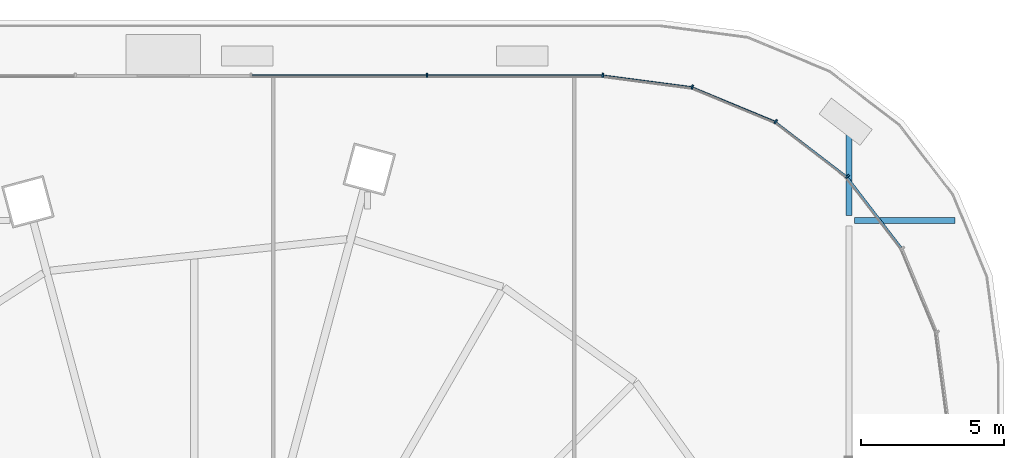
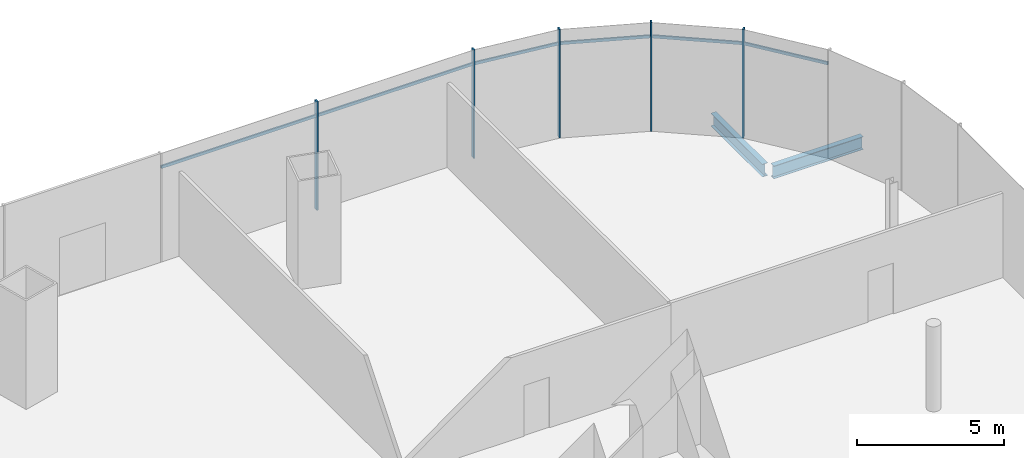
# One storey, part 28 of 49: 11 members, 2 beams, 1 element without a shape of its own.
"""IFC4 building model written with IfcOpenShell, lengths in metres."""

from ifc_helpers import new_model, si_unit, direction, frame, origin, origin_2d, place, context, subcontext, project, spatial, rectangle, i_section, extrude, material, material_profile, profile_set, type_object, element, aggregate, save


model = new_model("IFC4")

# Units and contexts
model_context = context("Model", 3, precision=1e-05, world=origin(), true_north=direction((0.0, 1.0)))
body_context = subcontext(model_context, "Body", "Model", "MODEL_VIEW")
ifc_project = project(units=[si_unit("LENGTHUNIT", "METRE"), si_unit("AREAUNIT", "SQUARE_METRE"), si_unit("VOLUMEUNIT", "CUBIC_METRE"), si_unit("PLANEANGLEUNIT", "RADIAN"), si_unit("MASSUNIT", "GRAM", prefix="KILO")], contexts=[model_context])

# Site, building, storey
site_placement = place(None, origin())
site = spatial("IfcSite", under=ifc_project, at=site_placement, CompositionType="ELEMENT")
building_placement = place(site_placement, origin())
building = spatial("IfcBuilding", under=site, at=building_placement, Name="Rimbun Link Towers", CompositionType="ELEMENT")
storey_placement = place(building_placement, frame((0.0, 0.0, 25.5)))
storey = spatial("IfcBuildingStorey", under=building, at=storey_placement, Name="L05", CompositionType="ELEMENT", Elevation=25.5)

# Curtain wall, members
ifc_material_1 = material(Name="Aluminium 6063-T6 and low-iron glass", Category="aluminium")
curtain_wall_type = type_object("IfcCurtainWallType", Name="CW3 podium shopfront", PredefinedType="NOTDEFINED", material=ifc_material_1)
curtain_wall_placement = place(storey_placement, origin())
curtain_wall = element("IfcCurtainWall", 1, at=curtain_wall_placement, inside=storey, type_object=curtain_wall_type, Name="CW3 L05 PD", PredefinedType="NOTDEFINED")
ifc_material_2 = material(Name="Aluminium 6063-T6", Category="aluminium")
ifc_material_profile_1 = material_profile(ifc_material_2, rectangle(XDim=0.14990234375, YDim=0.06005859375, at=origin_2d()), Name="MULLION 60X150")
ifc_profile_set_1 = profile_set([ifc_material_profile_1], Name="Aluminium 6063-T6")
member_type_1 = type_object("IfcMemberType", Name="CW3 mullion 60X150", PredefinedType="MULLION", material=ifc_profile_set_1)
member_1_placement = place(storey_placement, frame((54.538330078125, 22.538330078125, 0.0), z_axis=(0.0, 0.0, 1.0), x_axis=(0.707106781187, 0.707106781187, 0.0)))
member_1 = element("IfcMember", 2, at=member_1_placement, type_object=member_type_1, Name="CW3 mullion", PredefinedType="MULLION", context=body_context, shape_type="SweptSolid", body=[
    extrude(rectangle(XDim=0.14990234375, YDim=0.06005859375, at=origin_2d()), origin(), (0.0, 0.0, 1.0), 4.5),
])
member_2_placement = place(storey_placement, frame((52.03759765625, 24.457275390625, 0.0), z_axis=(0.0, 0.0, 1.0), x_axis=(0.499993701568, 0.866029040155, 0.0)))
member_2 = element("IfcMember", 3, at=member_2_placement, type_object=member_type_1, Name="CW3 mullion", PredefinedType="MULLION", context=body_context, shape_type="SweptSolid", body=[
    extrude(rectangle(XDim=0.14990234375, YDim=0.06005859375, at=origin_2d()), origin(), (0.0, 0.0, 1.0), 4.5),
])
member_3_placement = place(storey_placement, frame((49.125244140625, 25.66357421875, 0.0), z_axis=(0.0, 0.0, 1.0), x_axis=(0.258818729038, 0.965925910978, 0.0)))
member_3 = element("IfcMember", 4, at=member_3_placement, type_object=member_type_1, Name="CW3 mullion", PredefinedType="MULLION", context=body_context, shape_type="SweptSolid", body=[
    extrude(rectangle(XDim=0.14990234375, YDim=0.06005859375, at=origin_2d()), origin(), (0.0, 0.0, 1.0), 4.5),
])
member_4_placement = place(storey_placement, frame((46.0048828125, 26.074951171875, 0.0), z_axis=(0.0, 0.0, 1.0), x_axis=(0.065405288299, 0.997858781723, 0.0)))
member_4 = element("IfcMember", 5, at=member_4_placement, type_object=member_type_1, Name="CW3 mullion", PredefinedType="MULLION", context=body_context, shape_type="SweptSolid", body=[
    extrude(rectangle(XDim=0.14990234375, YDim=0.06005859375, at=origin_2d()), origin(), (0.0, 0.0, 1.0), 4.5),
])
member_5_placement = place(storey_placement, frame((39.86669921875, 26.074951171875, 0.0), z_axis=(0.0, 0.0, 1.0), x_axis=(0.0, 1.0, 0.0)))
member_5 = element("IfcMember", 6, at=member_5_placement, type_object=member_type_1, Name="CW3 mullion", PredefinedType="MULLION", context=body_context, shape_type="SweptSolid", body=[
    extrude(rectangle(XDim=0.14990234375, YDim=0.06005859375, at=origin_2d()), origin(), (0.0, 0.0, 1.0), 4.5),
])
ifc_material_3 = material(Name="Aluminium 6063-T6", Category="aluminium")
ifc_material_profile_2 = material_profile(ifc_material_3, rectangle(XDim=0.06005859375, YDim=0.1201171875, at=origin_2d()), Name="TRANSOM 60X120")
ifc_profile_set_2 = profile_set([ifc_material_profile_2], Name="Aluminium 6063-T6")
member_type_2 = type_object("IfcMemberType", Name="CW3 transom 60X120", PredefinedType="USERDEFINED", material=ifc_profile_set_2)
member_6_placement = place(storey_placement, frame((54.54638671875, 22.494384765625, 3.89990234375), z_axis=(0.608773432314, -0.793344129687, 0.0), x_axis=(0.793344129687, 0.608773432314, 0.0)))
member_6 = element("IfcMember", 7, at=member_6_placement, type_object=member_type_2, Name="CW3 transom", ObjectType="TRANSOM", PredefinedType="USERDEFINED", context=body_context, shape_type="SweptSolid", body=[
    extrude(rectangle(XDim=0.06005859375, YDim=0.1201171875, at=origin_2d()), origin(), (0.0, 0.0, 1.0), 3.07275390625),
])
member_7_placement = place(storey_placement, frame((52.056640625, 24.4169921875, 3.89990234375), z_axis=(0.793344129687, -0.608773432314, 0.0), x_axis=(0.608773432314, 0.793344129687, 0.0)))
member_7 = element("IfcMember", 8, at=member_7_placement, type_object=member_type_2, Name="CW3 transom", ObjectType="TRANSOM", PredefinedType="USERDEFINED", context=body_context, shape_type="SweptSolid", body=[
    extrude(rectangle(XDim=0.06005859375, YDim=0.1201171875, at=origin_2d()), origin(), (0.0, 0.0, 1.0), 3.07275390625),
])
member_8_placement = place(storey_placement, frame((49.154296875, 25.62939453125, 3.89990234375), z_axis=(0.923881248716, -0.382679289053, 0.0), x_axis=(0.382679289053, 0.923881248716, 0.0)))
member_8 = element("IfcMember", 9, at=member_8_placement, type_object=member_type_2, Name="CW3 transom", ObjectType="TRANSOM", PredefinedType="USERDEFINED", context=body_context, shape_type="SweptSolid", body=[
    extrude(rectangle(XDim=0.06005859375, YDim=0.1201171875, at=origin_2d()), origin(), (0.0, 0.0, 1.0), 3.072509765625),
])
member_9_placement = place(storey_placement, frame((46.036865234375, 26.049560546875, 3.89990234375), z_axis=(0.991441037829, -0.130555231638, 0.0), x_axis=(0.130555231638, 0.991441037829, 0.0)))
member_9 = element("IfcMember", 10, at=member_9_placement, type_object=member_type_2, Name="CW3 transom", ObjectType="TRANSOM", PredefinedType="USERDEFINED", context=body_context, shape_type="SweptSolid", body=[
    extrude(rectangle(XDim=0.06005859375, YDim=0.1201171875, at=origin_2d()), origin(), (0.0, 0.0, 1.0), 3.072509765625),
])
member_10_placement = place(storey_placement, frame((39.896728515625, 26.053955078125, 3.89990234375), z_axis=(1.0, 0.0, 0.0), x_axis=(0.0, 1.0, 0.0)))
member_10 = element("IfcMember", 11, at=member_10_placement, type_object=member_type_2, Name="CW3 transom", ObjectType="TRANSOM", PredefinedType="USERDEFINED", context=body_context, shape_type="SweptSolid", body=[
    extrude(rectangle(XDim=0.06005859375, YDim=0.1201171875, at=origin_2d()), origin(), (0.0, 0.0, 1.0), 6.0732421875),
])
member_11_placement = place(storey_placement, frame((33.763427734375, 26.053955078125, 3.89990234375), z_axis=(1.0, 0.0, 0.0), x_axis=(0.0, 1.0, 0.0)))
member_11 = element("IfcMember", 12, at=member_11_placement, type_object=member_type_2, Name="CW3 transom", ObjectType="TRANSOM", PredefinedType="USERDEFINED", context=body_context, shape_type="SweptSolid", body=[
    extrude(rectangle(XDim=0.06005859375, YDim=0.1201171875, at=origin_2d()), origin(), (0.0, 0.0, 1.0), 6.0732421875),
])
aggregate(curtain_wall, [member_1, member_2, member_3, member_4, member_5, member_6, member_7, member_8, member_9, member_10, member_11])

# Beams
ifc_material_4 = material(Name="Steel S355J2", Category="steel")
ifc_material_profile_3 = material_profile(ifc_material_4, i_section(OverallWidth=0.209228515625, OverallDepth=0.533203125, WebThickness=0.010009765625, FlangeThickness=0.015625, at=origin_2d()), Name="UB 533x210x92")
ifc_profile_set_3 = profile_set([ifc_material_profile_3], Name="Steel S355J2")
beam_type = type_object("IfcBeamType", Name="UB 533x210x92", PredefinedType="BEAM", material=ifc_profile_set_3)
for number, where, z_axis, x_axis, name in (
    (13, (54.785400390625, 21.0, -0.56640625), (1.0, 0.0, 0.0), (0.0, 1.0, 0.0), "Grid beam L05 +21.0"),
    (14, (54.60009765625, 21.180908203125, -0.56640625), (0.0, 1.0, 0.0), (-1.0, 0.0, 0.0), "Grid beam L05 +54.6"),
):
    element("IfcBeam", number, at=place(storey_placement, frame(where, z_axis=z_axis, x_axis=x_axis)), inside=storey, type_object=beam_type, Name=name, PredefinedType="BEAM", context=body_context, shape_type="SweptSolid", body=[
        extrude(i_section(OverallWidth=0.209228515625, OverallDepth=0.533203125, WebThickness=0.010009765625, FlangeThickness=0.015625, at=origin_2d()), origin(), (0.0, 0.0, 1.0), 3.5),
    ])

save(model, "model.ifc")
